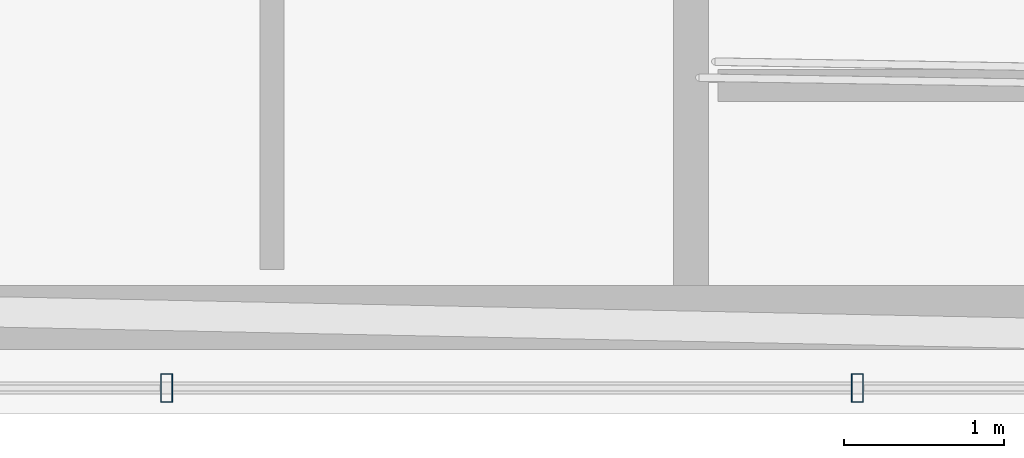
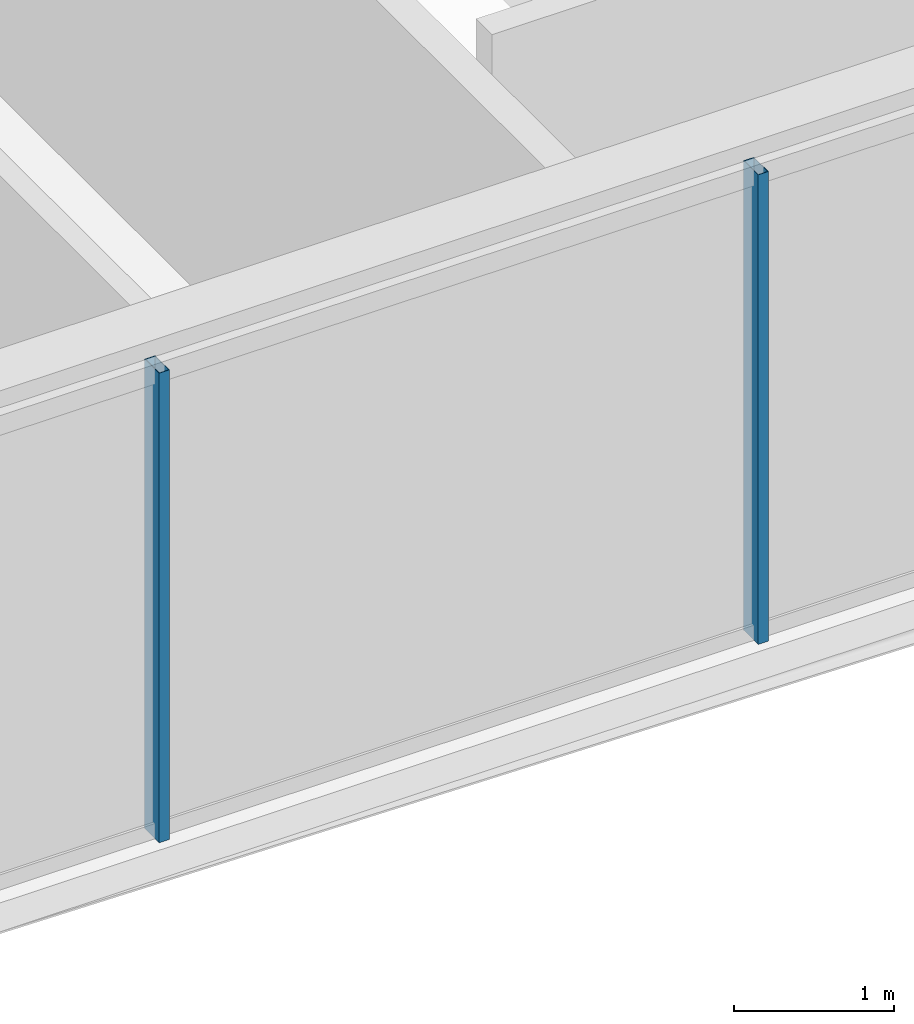
# One storey, part 6 of 30: 2 members, 1 element without a shape of its own.
"""IFC4 building model written with IfcOpenShell, lengths in metres."""

from ifc_helpers import new_model, si_unit, direction, frame, origin, origin_2d, place, context, subcontext, project, spatial, hollow_rectangle, extrude, material, layer, layer_set, material_profile, profile_set, type_object, element, aggregate, save


model = new_model("IFC4")

# Units and contexts
model_context = context("Model", 3, precision=1e-05, world=origin(), true_north=direction((0.0, 1.0)))
body_context = subcontext(model_context, "Body", "Model", "MODEL_VIEW")
ifc_project = project(units=[si_unit("LENGTHUNIT", "METRE"), si_unit("AREAUNIT", "SQUARE_METRE"), si_unit("VOLUMEUNIT", "CUBIC_METRE"), si_unit("PLANEANGLEUNIT", "RADIAN"), si_unit("MASSUNIT", "GRAM", prefix="KILO")], contexts=[model_context])

# Site, building, storey
site_placement = place(None, origin())
site = spatial("IfcSite", under=ifc_project, at=site_placement, CompositionType="ELEMENT")
building_placement = place(site_placement, origin())
building = spatial("IfcBuilding", under=site, at=building_placement, Name="Ndaravel Arena Tower", CompositionType="ELEMENT")
storey_placement = place(building_placement, frame((0.0, 0.0, 221.800048828125)))
storey = spatial("IfcBuildingStorey", under=building, at=storey_placement, Name="L53", CompositionType="ELEMENT", Elevation=221.800048828125)

# Curtain wall, members
ifc_material_1 = material(Name="Aluminium", Category="aluminium")
ifc_layer = layer(ifc_material_1, 0.179931640625)
ifc_layer_set = layer_set([ifc_layer], Name="Aluminium")
curtain_wall_type = type_object("IfcCurtainWallType", Name="CW-SYS-03", PredefinedType="NOTDEFINED", material=ifc_layer_set)
curtain_wall_placement = place(storey_placement, origin())
curtain_wall = element("IfcCurtainWall", 1, at=curtain_wall_placement, inside=storey, type_object=curtain_wall_type, Name="L53 Faceted Crystal Curtain Wall CW-L53-E01", PredefinedType="NOTDEFINED")
ifc_material_2 = material(Name="Aluminium", Category="aluminium")
ifc_material_profile = material_profile(ifc_material_2, hollow_rectangle(XDim=0.074951171875, YDim=0.179931640625, WallThickness=0.00390625, at=origin_2d()), Name="CW MULLION 75x180x4")
ifc_profile_set = profile_set([ifc_material_profile], Name="Aluminium")
member_type = type_object("IfcMemberType", Name="MEM-CW-MUL180", PredefinedType="MULLION", material=ifc_profile_set)
member_1_placement = place(storey_placement, frame((35.522216796875, 5.159912109375, 0.0), z_axis=(0.0, 0.0, 1.0), x_axis=(1.0, 0.0, 0.0)))
member_1 = element("IfcMember", 2, at=member_1_placement, type_object=member_type, Name="CW-L53-E01 Mullion 03", PredefinedType="MULLION", context=body_context, shape_type="SweptSolid", body=[
    extrude(hollow_rectangle(XDim=0.074951171875, YDim=0.179931640625, WallThickness=0.00390625, at=origin_2d()), origin(), (0.0, 0.0, 1.0), 3.579833984375),
])
member_2_placement = place(storey_placement, frame((39.8408203125, 5.159912109375, 0.0), z_axis=(0.0, 0.0, 1.0), x_axis=(1.0, 0.0, 0.0)))
member_2 = element("IfcMember", 3, at=member_2_placement, type_object=member_type, Name="CW-L53-E01 Mullion 04", PredefinedType="MULLION", context=body_context, shape_type="SweptSolid", body=[
    extrude(hollow_rectangle(XDim=0.074951171875, YDim=0.179931640625, WallThickness=0.00390625, at=origin_2d()), origin(), (0.0, 0.0, 1.0), 3.579833984375),
])
aggregate(curtain_wall, [member_1, member_2])

save(model, "model.ifc")
